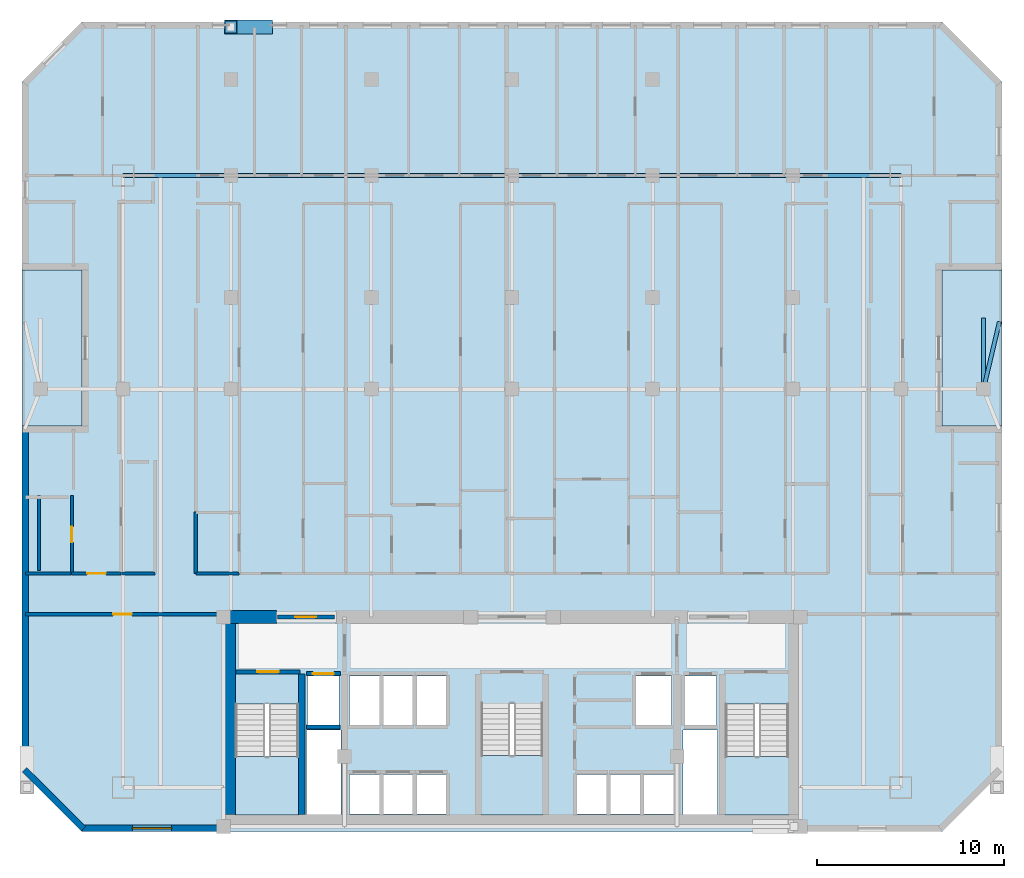
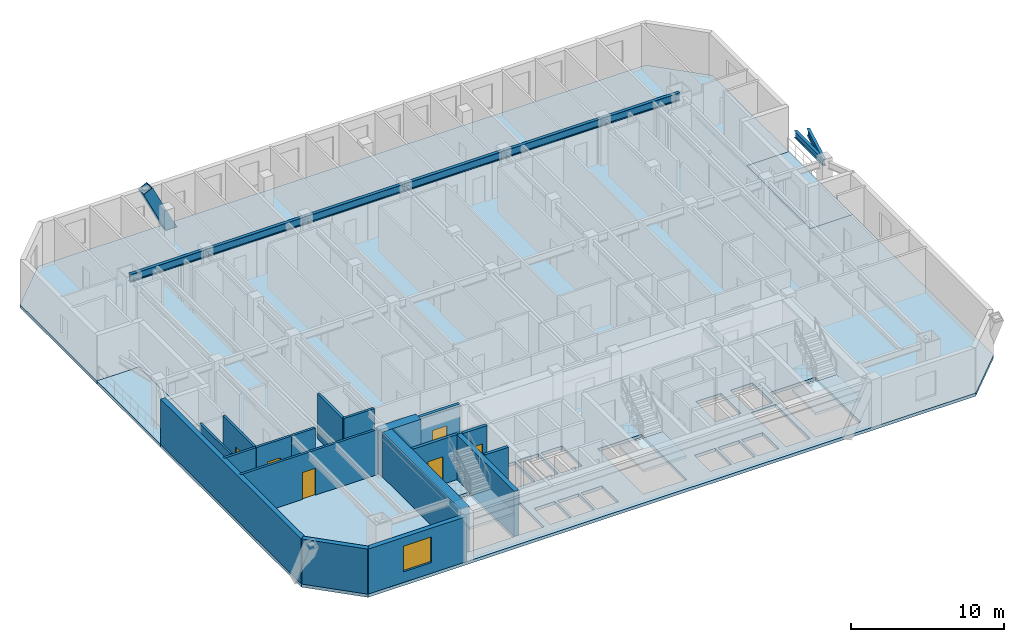
# One storey, part 2 of 11: 18 walls, 8 beams, 6 doors, 6 slabs, 1 member, 1 window, 7 openings, 3 elements without a shape of their own.
"""IFC4 building model written with IfcOpenShell, lengths in metres."""

from ifc_helpers import new_model, si_unit, direction, frame, frame_2d, origin, origin_2d, place, context, subcontext, project, spatial, polyline, rectangle, hollow_rectangle, i_section, outline, extrude, material, layer, layer_set, material_profile, profile_set, type_object, element, fill, aggregate, save


model = new_model("IFC4")

# Units and contexts
model_context = context("Model", 3, precision=1e-05, world=origin(), true_north=direction((0.0, 1.0)))
body_context = subcontext(model_context, "Body", "Model", "MODEL_VIEW")
ifc_project = project(units=[si_unit("LENGTHUNIT", "METRE"), si_unit("AREAUNIT", "SQUARE_METRE"), si_unit("VOLUMEUNIT", "CUBIC_METRE"), si_unit("PLANEANGLEUNIT", "RADIAN"), si_unit("MASSUNIT", "GRAM", prefix="KILO")], contexts=[model_context])

# Site, building, storey
site_placement = place(None, origin())
site = spatial("IfcSite", under=ifc_project, at=site_placement, CompositionType="ELEMENT")
building_placement = place(site_placement, origin())
building = spatial("IfcBuilding", under=site, at=building_placement, Name="Ventersveld Concourse Tower", CompositionType="ELEMENT")
storey_placement = place(building_placement, frame((0.0, 0.0, 119.550048828125)))
storey = spatial("IfcBuildingStorey", under=building, at=storey_placement, Name="L29", CompositionType="ELEMENT", Elevation=119.550048828125)

# Beams
ifc_material_1 = material(Name="Structural steel S355J2", Category="steel")
ifc_material_profile_1 = material_profile(ifc_material_1, i_section(OverallWidth=0.230224609375, OverallDepth=0.6171875, WebThickness=0.01318359375, FlangeThickness=0.022216796875, FilletRadius=0.0126953125, at=origin_2d()), Name="UB 610x229x140")
ifc_profile_set_1 = profile_set([ifc_material_profile_1], Name="Structural steel S355J2")
beam_type_1 = type_object("IfcBeamType", Name="GRD-UB610", PredefinedType="USERDEFINED", material=ifc_profile_set_1)
beam_1_placement = place(storey_placement, frame((8.0, 35.0, 3.291259765625), z_axis=(1.0, 0.0, 0.0), x_axis=(0.0, 1.0, 0.0)))
element("IfcBeam", 1, at=beam_1_placement, inside=storey, type_object=beam_type_1, Name="L29 E-W Grid Girder Y=35.00 #1", ObjectType="GIRDER", PredefinedType="USERDEFINED", context=body_context, shape_type="SweptSolid", body=[
    extrude(i_section(OverallWidth=0.230224609375, OverallDepth=0.6171875, WebThickness=0.01318359375, FlangeThickness=0.022216796875, FilletRadius=0.0126953125, at=origin_2d()), origin(), (0.0, 0.0, 1.0), 5.75),
])
for number, where, z_axis, x_axis, name in (
    (2, (13.75, 35.0, 3.291259765625), (1.0, 0.0, 0.0), (0.0, 1.0, 0.0), "L29 E-W Grid Girder Y=35.00 #2"),
    (3, (21.25, 35.0, 3.291259765625), (1.0, 0.0, 0.0), (0.0, 1.0, 0.0), "L29 E-W Grid Girder Y=35.00 #3"),
    (4, (28.75, 35.0, 3.291259765625), (1.0, 0.0, 0.0), (0.0, 1.0, 0.0), "L29 E-W Grid Girder Y=35.00 #4"),
    (5, (36.25, 35.0, 3.291259765625), (1.0, 0.0, 0.0), (0.0, 1.0, 0.0), "L29 E-W Grid Girder Y=35.00 #5"),
):
    element("IfcBeam", number, at=place(storey_placement, frame(where, z_axis=z_axis, x_axis=x_axis)), inside=storey, type_object=beam_type_1, Name=name, ObjectType="GIRDER", PredefinedType="USERDEFINED", context=body_context, shape_type="SweptSolid", body=[
        extrude(i_section(OverallWidth=0.230224609375, OverallDepth=0.6171875, WebThickness=0.01318359375, FlangeThickness=0.022216796875, FilletRadius=0.0126953125, at=origin_2d()), origin(), (0.0, 0.0, 1.0), 7.5),
    ])
beam_2_placement = place(storey_placement, frame((43.75, 35.0, 3.291259765625), z_axis=(1.0, 0.0, 0.0), x_axis=(0.0, 1.0, 0.0)))
element("IfcBeam", 6, at=beam_2_placement, inside=storey, type_object=beam_type_1, Name="L29 E-W Grid Girder Y=35.00 #6", ObjectType="GIRDER", PredefinedType="USERDEFINED", context=body_context, shape_type="SweptSolid", body=[
    extrude(i_section(OverallWidth=0.230224609375, OverallDepth=0.6171875, WebThickness=0.01318359375, FlangeThickness=0.022216796875, FilletRadius=0.0126953125, at=origin_2d()), origin(), (0.0, 0.0, 1.0), 5.75),
])

# Member
ifc_material_2 = material(Name="Structural steel S355ML", Category="steel")
ifc_material_profile_2 = material_profile(ifc_material_2, hollow_rectangle(XDim=0.75, YDim=0.75, WallThickness=0.044921875, at=origin_2d()), Name="BOX 750x750x45")
ifc_profile_set_2 = profile_set([ifc_material_profile_2], Name="Structural steel S355ML")
member_type = type_object("IfcMemberType", Name="MB-750x750", PredefinedType="BRACE", material=ifc_profile_set_2)
member_placement = place(storey_placement, frame((15.625, 42.919921875, -0.25), z_axis=(-0.437861906815, 0.0, 0.899042240699), x_axis=(0.0, -1.0, 0.0)))
element("IfcMember", 7, at=member_placement, inside=storey, type_object=member_type, Name="L29 Exterior Mega-Brace N (Module M06)", PredefinedType="BRACE", context=body_context, shape_type="SweptSolid", body=[
    extrude(hollow_rectangle(XDim=0.75, YDim=0.75, WallThickness=0.044921875, at=origin_2d()), origin(), (0.0, 0.0, 1.0), 4.2822265625),
])

# Beams
ifc_material_profile_3 = material_profile(ifc_material_1, i_section(OverallWidth=0.2119140625, OverallDepth=0.54443359375, WebThickness=0.0126953125, FlangeThickness=0.021240234375, FilletRadius=0.0126953125, at=origin_2d()), Name="UB 533x210x122")
ifc_profile_set_3 = profile_set([ifc_material_profile_3], Name="Structural steel S355J2")
beam_type_2 = type_object("IfcBeamType", Name="SPD-UB533", PredefinedType="SPANDREL", material=ifc_profile_set_3)
beam_3_placement = place(storey_placement, frame((53.89990234375, 23.60009765625, 3.32763671875), z_axis=(0.0, 1.0, 0.0), x_axis=(-1.0, 0.0, 0.0)))
element("IfcBeam", 8, at=beam_3_placement, inside=storey, type_object=beam_type_2, Name="L29 East Valley Spine Girder", PredefinedType="SPANDREL", context=body_context, shape_type="SweptSolid", body=[
    extrude(i_section(OverallWidth=0.2119140625, OverallDepth=0.54443359375, WebThickness=0.0126953125, FlangeThickness=0.021240234375, FilletRadius=0.0126953125, at=origin_2d()), origin(), (0.0, 0.0, 1.0), 3.7998046875),
])
beam_4_placement = place(storey_placement, frame((53.89990234375, 23.60009765625, 3.32763671875), z_axis=(0.229826547993, 0.973231605445, 0.0), x_axis=(-0.973231605445, 0.229826547993, 0.0)))
element("IfcBeam", 9, at=beam_4_placement, inside=storey, type_object=beam_type_2, Name="L29 East Valley Corner Bracket 2", PredefinedType="SPANDREL", context=body_context, shape_type="SweptSolid", body=[
    extrude(i_section(OverallWidth=0.2119140625, OverallDepth=0.54443359375, WebThickness=0.0126953125, FlangeThickness=0.021240234375, FilletRadius=0.0126953125, at=origin_2d()), origin(), (0.0, 0.0, 1.0), 3.698974609375),
])

# Slabs
ifc_material_3 = material(Name="Concrete C50/60", Category="concrete")
ifc_layer_1 = layer(ifc_material_3, 0.25)
ifc_layer_set_1 = layer_set([ifc_layer_1], Name="Concrete C50/60")
slab_type_1 = type_object("IfcSlabType", Name="SL-FLR-250", PredefinedType="FLOOR", material=ifc_layer_set_1)
slab_1_placement = place(storey_placement, frame((0.0, 0.0, -0.25)))
element("IfcSlab", 10, at=slab_1_placement, inside=storey, type_object=slab_type_1, Name="L29 Composite Floor Slab", PredefinedType="FLOOR", context=body_context, shape_type="SweptSolid", body=[
    extrude(outline(polyline([(5.800048828125, 0.0), (51.699951171875, 0.0), (54.89990234375, 3.199951171875), (54.89990234375, 21.64990234375), (51.699951171875, 21.64990234375), (51.699951171875, 29.949951171875), (54.89990234375, 29.949951171875), (54.89990234375, 40.0), (51.699951171875, 43.199951171875), (5.800048828125, 43.199951171875), (2.60009765625, 40.0), (2.60009765625, 29.949951171875), (5.800048828125, 29.949951171875), (5.800048828125, 21.64990234375), (2.60009765625, 21.64990234375), (2.60009765625, 3.199951171875), (5.800048828125, 0.0)]), holes=[polyline([(13.97998046875, 6.794921875), (13.97998046875, 0.89990234375), (17.3798828125, 0.89990234375), (17.3798828125, 6.794921875), (13.97998046875, 6.794921875)]), polyline([(40.1201171875, 6.794921875), (40.1201171875, 0.89990234375), (43.52001953125, 0.89990234375), (43.52001953125, 6.794921875), (40.1201171875, 6.794921875)]), polyline([(27.10009765625, 6.844970703125), (27.10009765625, 0.89990234375), (30.39990234375, 0.89990234375), (30.39990234375, 6.844970703125), (27.10009765625, 6.844970703125)]), polyline([(17.85009765625, 5.699951171875), (19.530029296875, 5.699951171875), (19.530029296875, 8.300048828125), (17.85009765625, 8.300048828125), (17.85009765625, 5.699951171875)]), polyline([(37.969970703125, 5.699951171875), (39.64990234375, 5.699951171875), (39.64990234375, 8.300048828125), (37.969970703125, 8.300048828125), (37.969970703125, 5.699951171875)]), polyline([(35.35009765625, 5.699951171875), (37.25, 5.699951171875), (37.25, 8.300048828125), (35.35009765625, 8.300048828125), (35.35009765625, 5.699951171875)]), polyline([(20.090087890625, 0.949951171875), (21.68994140625, 0.949951171875), (21.68994140625, 3.050048828125), (20.090087890625, 3.050048828125), (20.090087890625, 0.949951171875)]), polyline([(21.8701171875, 0.949951171875), (23.469970703125, 0.949951171875), (23.469970703125, 3.050048828125), (21.8701171875, 3.050048828125), (21.8701171875, 0.949951171875)]), polyline([(23.64990234375, 0.949951171875), (25.25, 0.949951171875), (25.25, 3.050048828125), (23.64990234375, 3.050048828125), (23.64990234375, 0.949951171875)]), polyline([(32.2099609375, 0.949951171875), (33.81005859375, 0.949951171875), (33.81005859375, 3.050048828125), (32.2099609375, 3.050048828125), (32.2099609375, 0.949951171875)]), polyline([(33.989990234375, 0.949951171875), (35.590087890625, 0.949951171875), (35.590087890625, 3.050048828125), (33.989990234375, 3.050048828125), (33.989990234375, 0.949951171875)]), polyline([(35.77001953125, 0.949951171875), (37.3701171875, 0.949951171875), (37.3701171875, 3.050048828125), (35.77001953125, 3.050048828125), (35.77001953125, 0.949951171875)]), polyline([(20.090087890625, 5.699951171875), (21.68994140625, 5.699951171875), (21.68994140625, 8.300048828125), (20.090087890625, 8.300048828125), (20.090087890625, 5.699951171875)]), polyline([(21.8701171875, 5.699951171875), (23.469970703125, 5.699951171875), (23.469970703125, 8.300048828125), (21.8701171875, 8.300048828125), (21.8701171875, 5.699951171875)]), polyline([(23.64990234375, 5.699951171875), (25.25, 5.699951171875), (25.25, 8.300048828125), (23.64990234375, 8.300048828125), (23.64990234375, 5.699951171875)]), polyline([(17.780029296875, 0.919921875), (19.6201171875, 0.919921875), (19.6201171875, 5.419921875), (17.780029296875, 5.419921875), (17.780029296875, 0.919921875)]), polyline([(37.8798828125, 0.919921875), (39.719970703125, 0.919921875), (39.719970703125, 5.419921875), (37.8798828125, 5.419921875), (37.8798828125, 0.919921875)])]), origin(), (0.0, 0.0, 1.0), 0.25),
])
slab_2_placement = place(storey_placement, frame((0.0, 0.0, -0.25)))
element("IfcSlab", 11, at=slab_2_placement, inside=storey, type_object=slab_type_1, Name="L29 Outdoor Terrace Slab NOTCH-W", PredefinedType="FLOOR", context=body_context, shape_type="SweptSolid", body=[
    extrude(outline(polyline([(2.60009765625, 21.64990234375), (5.800048828125, 21.64990234375), (5.800048828125, 29.949951171875), (2.60009765625, 29.949951171875), (2.60009765625, 21.64990234375)])), origin(), (0.0, 0.0, 1.0), 0.25),
])
slab_3_placement = place(storey_placement, frame((0.0, 0.0, -0.25)))
element("IfcSlab", 12, at=slab_3_placement, inside=storey, type_object=slab_type_1, Name="L29 Outdoor Terrace Slab NOTCH-E", PredefinedType="FLOOR", context=body_context, shape_type="SweptSolid", body=[
    extrude(outline(polyline([(51.699951171875, 21.64990234375), (54.89990234375, 21.64990234375), (54.89990234375, 29.949951171875), (51.699951171875, 29.949951171875), (51.699951171875, 21.64990234375)])), origin(), (0.0, 0.0, 1.0), 0.25),
])

# Stair, slab
stair_type_1 = type_object("IfcStairType", Name="ST-DOG-160", PredefinedType="HALF_TURN_STAIR", material=ifc_material_3)
stair_1_placement = place(storey_placement, origin())
stair_1 = element("IfcStair", 13, at=stair_1_placement, inside=storey, type_object=stair_type_1, Name="L29 Protected Tower Escape Stair ST-01", PredefinedType="HALF_TURN_STAIR")
ifc_layer_2 = layer(ifc_material_3, 0.199951171875)
ifc_layer_set_2 = layer_set([ifc_layer_2], Name="Concrete C50/60")
slab_type_2 = type_object("IfcSlabType", Name="SL-LND-200", PredefinedType="LANDING", material=ifc_layer_set_2)
slab_4_placement = place(storey_placement, frame((0.0, 0.0, 1.724853515625)))
slab_4 = element("IfcSlab", 14, at=slab_4_placement, type_object=slab_type_2, Name="ST-01 landing 1", PredefinedType="LANDING", context=body_context, shape_type="SweptSolid", body=[
    extrude(outline(polyline([(13.97998046875, 4.0), (13.97998046875, 0.89990234375), (17.3798828125, 0.89990234375), (17.3798828125, 4.0), (13.97998046875, 4.0)])), origin(), (0.0, 0.0, 1.0), 0.2001953125),
])
aggregate(stair_1, [slab_4])

stair_2_placement = place(storey_placement, origin())
stair_2 = element("IfcStair", 15, at=stair_2_placement, inside=storey, type_object=stair_type_1, Name="L29 Protected Tower Escape Stair ST-02", PredefinedType="HALF_TURN_STAIR")
slab_5_placement = place(storey_placement, frame((0.0, 0.0, 1.724853515625)))
slab_5 = element("IfcSlab", 16, at=slab_5_placement, type_object=slab_type_2, Name="ST-02 landing 1", PredefinedType="LANDING", context=body_context, shape_type="SweptSolid", body=[
    extrude(outline(polyline([(40.1201171875, 4.0), (40.1201171875, 0.89990234375), (43.52001953125, 0.89990234375), (43.52001953125, 4.0), (40.1201171875, 4.0)])), origin(), (0.0, 0.0, 1.0), 0.2001953125),
])
aggregate(stair_2, [slab_5])

stair_type_2 = type_object("IfcStairType", Name="ST-DOG-155", PredefinedType="HALF_TURN_STAIR", material=ifc_material_3)
stair_3_placement = place(storey_placement, origin())
stair_3 = element("IfcStair", 17, at=stair_3_placement, inside=storey, type_object=stair_type_2, Name="L29 Protected Central Core Escape Stair ST-03", PredefinedType="HALF_TURN_STAIR")
slab_6_placement = place(storey_placement, frame((0.0, 0.0, 1.724853515625)))
slab_6 = element("IfcSlab", 18, at=slab_6_placement, type_object=slab_type_2, Name="ST-03 landing 1", PredefinedType="LANDING", context=body_context, shape_type="SweptSolid", body=[
    extrude(outline(polyline([(27.10009765625, 4.050048828125), (27.10009765625, 0.89990234375), (30.39990234375, 0.89990234375), (30.39990234375, 4.050048828125), (27.10009765625, 4.050048828125)])), origin(), (0.0, 0.0, 1.0), 0.2001953125),
])
aggregate(stair_3, [slab_6])

# Walls
ifc_material_4 = material(Name="Concrete C60/75", Category="concrete")
ifc_layer_3 = layer(ifc_material_4, 0.35009765625)
ifc_layer_set_3 = layer_set([ifc_layer_3], Name="Concrete C60/75")
wall_type_1 = type_object("IfcWallType", Name="WL-CORE-350L", PredefinedType="SHEAR", material=ifc_layer_set_3)
wall_1_placement = place(storey_placement, frame((17.5400390625, 0.919921875, 0.0), z_axis=(0.0, 0.0, 1.0), x_axis=(0.0, 1.0, 0.0)))
element("IfcWall", 19, at=wall_1_placement, inside=storey, type_object=wall_type_1, Name="L29 Core Internal Shear Web W-ST1-E", PredefinedType="SHEAR", context=body_context, shape_type="SweptSolid", body=[
    extrude(rectangle(XDim=7.5, YDim=0.35009765625, at=frame_2d((3.75, 0.0))), origin(), (0.0, 0.0, 1.0), 3.599853515625),
])
ifc_layer_4 = layer(ifc_material_4, 0.699951171875)
ifc_layer_set_4 = layer_set([ifc_layer_4], Name="Concrete C60/75")
wall_type_2 = type_object("IfcWallType", Name="WL-CORE-700", PredefinedType="SHEAR", material=ifc_layer_set_4)
wall_2_placement = place(storey_placement, frame((13.64990234375, 0.919921875, 0.0), z_axis=(0.0, 0.0, 1.0), x_axis=(0.0, 1.0, 0.0)))
element("IfcWall", 20, at=wall_2_placement, inside=storey, type_object=wall_type_2, Name="L29 Rear Core West Shear Wall", PredefinedType="SHEAR", context=body_context, shape_type="SweptSolid", body=[
    extrude(rectangle(XDim=10.530029296875, YDim=0.699951171875, at=frame_2d((5.26513671875, 0.0))), origin(), (0.0, 0.0, 1.0), 3.599853515625),
])
wall_3_placement = place(storey_placement, frame((13.25, 11.449951171875, 0.0), z_axis=(0.0, 0.0, 1.0), x_axis=(1.0, 0.0, 0.0)))
element("IfcWall", 21, at=wall_3_placement, inside=storey, type_object=wall_type_2, Name="L29 Rear Core North Shear Wall NW", PredefinedType="SHEAR", context=body_context, shape_type="SweptSolid", body=[
    extrude(rectangle(XDim=2.949951171875, YDim=0.699951171875, at=frame_2d((1.47509765625, 0.0))), origin(), (0.0, 0.0, 1.0), 3.599853515625),
])

# Wall, opening, door
ifc_material_5 = material(Name="Fire-rated autoclaved aerated masonry blockwork", Category="masonry")
ifc_layer_5 = layer(ifc_material_5, 0.179931640625)
ifc_layer_set_5 = layer_set([ifc_layer_5], Name="Fire-rated autoclaved aerated masonry blockwork")
wall_type_3 = type_object("IfcWallType", Name="WL-CORR-180", PredefinedType="PARTITIONING", material=ifc_layer_set_5)
wall_4_placement = place(storey_placement, frame((2.81005859375, 11.60009765625, 0.0), z_axis=(0.0, 0.0, 1.0), x_axis=(1.0, 0.0, 0.0)))
wall_4 = element("IfcWall", 22, at=wall_4_placement, inside=storey, type_object=wall_type_3, Name="L29 Interior Partition SP-L29-SW-GAL-SP-L29-COR", PredefinedType="PARTITIONING", context=body_context, shape_type="SweptSolid", body=[
    extrude(rectangle(XDim=10.3349609375, YDim=0.179931640625, at=frame_2d((5.16748046875, 0.0))), origin(), (0.0, 0.0, 1.0), 3.599853515625),
])
opening_1_placement = place(wall_4_placement, frame((4.66748046875, 0.0, 0.0)))
opening_1 = element("IfcOpeningElement", 23, at=opening_1_placement, cuts=wall_4, Name="Opening FD3", PredefinedType="OPENING", context=body_context, shape_type="SweptSolid", body=[
    extrude(rectangle(XDim=1.0, YDim=2.14990234375, at=frame_2d((0.5, 1.074951171875))), frame((0.0, 0.10009765625, 0.0), z_axis=(0.0, -1.0, 0.0), x_axis=(1.0, 0.0, 0.0)), (0.0, 0.0, 1.0), 0.199951171875),
])
ifc_material_6 = material(Name="Solid-core hardwood veneer timber", Category="wood")
door_type_1 = type_object("IfcDoorType", Name="DR-FLAT-100", OperationType="NOTDEFINED", PredefinedType="DOOR", material=ifc_material_6)
door_1_placement = place(opening_1_placement, origin())
door_1 = element("IfcDoor", 24, at=door_1_placement, inside=storey, type_object=door_type_1, Name="L29 Interior Door SP-L29-SW-GAL to SP-L29-COR (D-L29-1430)", OperationType="SINGLE_SWING_RIGHT", OverallHeight=2.14990234375, OverallWidth=1.0, PredefinedType="DOOR", context=body_context, shape_type="SweptSolid", body=[
    extrude(rectangle(XDim=1.0, YDim=2.14990234375, at=frame_2d((0.5, 1.074951171875))), frame((0.0, 0.02490234375, 0.0), z_axis=(0.0, -1.0, 0.0), x_axis=(1.0, 0.0, 0.0)), (0.0, 0.0, 1.0), 0.050048828125),
])
fill(opening_1, door_1)

wall_5_placement = place(storey_placement, frame((5.2646484375, 13.77001953125, 0.0), z_axis=(0.0, 0.0, 1.0), x_axis=(1.0, 0.0, 0.0)))
wall_5 = element("IfcWall", 25, at=wall_5_placement, inside=storey, type_object=wall_type_3, Name="L29 Interior Partition SP-L29-COR-SP-L29-29NW-LIV", PredefinedType="PARTITIONING", context=body_context, shape_type="SweptSolid", body=[
    extrude(rectangle(XDim=2.635986328125, YDim=0.179931640625, at=frame_2d((1.31787109375, 0.0))), origin(), (0.0, 0.0, 1.0), 3.599853515625),
])
opening_2_placement = place(wall_5_placement, frame((0.818115234375, 0.0, 0.0)))
opening_2 = element("IfcOpeningElement", 26, at=opening_2_placement, cuts=wall_5, Name="Opening FD3", PredefinedType="OPENING", context=body_context, shape_type="SweptSolid", body=[
    extrude(rectangle(XDim=1.0, YDim=2.14990234375, at=frame_2d((0.5, 1.074951171875))), frame((0.0, 0.10009765625, 0.0), z_axis=(0.0, -1.0, 0.0), x_axis=(1.0, 0.0, 0.0)), (0.0, 0.0, 1.0), 0.199951171875),
])
door_2_placement = place(opening_2_placement, origin())
door_2 = element("IfcDoor", 27, at=door_2_placement, inside=storey, type_object=door_type_1, Name="L29 Interior Door SP-L29-COR to SP-L29-29NW-LIV (FD-L29-1432)", OperationType="SINGLE_SWING_RIGHT", OverallHeight=2.14990234375, OverallWidth=1.0, PredefinedType="DOOR", context=body_context, shape_type="SweptSolid", body=[
    extrude(rectangle(XDim=1.0, YDim=2.14990234375, at=frame_2d((0.5, 1.074951171875))), frame((0.0, 0.02490234375, 0.0), z_axis=(0.0, -1.0, 0.0), x_axis=(1.0, 0.0, 0.0)), (0.0, 0.0, 1.0), 0.050048828125),
])
fill(opening_2, door_2)

# Walls
wall_6_placement = place(storey_placement, frame((2.81005859375, 13.77001953125, 0.0), z_axis=(0.0, 0.0, 1.0), x_axis=(1.0, 0.0, 0.0)))
element("IfcWall", 28, at=wall_6_placement, inside=storey, type_object=wall_type_3, Name="L29 Interior Partition SP-L29-COR-SP-L29-29NW-BATH", PredefinedType="PARTITIONING", context=body_context, shape_type="SweptSolid", body=[
    extrude(rectangle(XDim=2.424560546875, YDim=0.179931640625, at=frame_2d((1.21240234375, 0.0))), origin(), (0.0, 0.0, 1.0), 3.599853515625),
])
wall_7_placement = place(storey_placement, frame((7.9306640625, 13.77001953125, 0.0), z_axis=(0.0, 0.0, 1.0), x_axis=(1.0, 0.0, 0.0)))
element("IfcWall", 29, at=wall_7_placement, inside=storey, type_object=wall_type_3, Name="L29 Interior Partition SP-L29-COR-SP-L29-29NW-KIT", PredefinedType="PARTITIONING", context=body_context, shape_type="SweptSolid", body=[
    extrude(rectangle(XDim=1.784423828125, YDim=0.179931640625, at=frame_2d((0.89208984375, 0.0))), origin(), (0.0, 0.0, 1.0), 3.599853515625),
])
wall_8_placement = place(storey_placement, frame((11.889892578125, 13.764892578125, 0.0), z_axis=(0.0, 0.0, 1.0), x_axis=(0.0, 1.0, 0.0)))
element("IfcWall", 30, at=wall_8_placement, inside=storey, type_object=wall_type_3, Name="L29 Interior Partition SP-L29-COR-SP-L29-29N1-BATH", PredefinedType="PARTITIONING", context=body_context, shape_type="SweptSolid", body=[
    extrude(rectangle(XDim=3.272705078125, YDim=0.179931640625, at=frame_2d((1.63623046875, 0.0))), origin(), (0.0, 0.0, 1.0), 3.599853515625),
])
wall_9_placement = place(storey_placement, frame((11.885009765625, 13.77001953125, 0.0), z_axis=(0.0, 0.0, 1.0), x_axis=(1.0, 0.0, 0.0)))
element("IfcWall", 31, at=wall_9_placement, inside=storey, type_object=wall_type_3, Name="L29 Interior Partition SP-L29-COR-SP-L29-29N1-BATH", PredefinedType="PARTITIONING", context=body_context, shape_type="SweptSolid", body=[
    extrude(rectangle(XDim=2.291015625, YDim=0.179931640625, at=frame_2d((1.1455078125, 0.0))), origin(), (0.0, 0.0, 1.0), 3.599853515625),
])
ifc_layer_6 = layer(ifc_material_5, 0.219970703125)
ifc_layer_set_6 = layer_set([ifc_layer_6], Name="Fire-rated autoclaved aerated masonry blockwork")
wall_type_4 = type_object("IfcWallType", Name="WL-HOIST-220", PredefinedType="SOLIDWALL", material=ifc_layer_set_6)
wall_10_placement = place(storey_placement, frame((17.800048828125, 5.590087890625, 0.0), z_axis=(0.0, 0.0, 1.0), x_axis=(1.0, 0.0, 0.0)))
element("IfcWall", 32, at=wall_10_placement, inside=storey, type_object=wall_type_4, Name="L29 Lift Hoistway Back Wall FFL-01", PredefinedType="SOLIDWALL", context=body_context, shape_type="SweptSolid", body=[
    extrude(rectangle(XDim=1.780029296875, YDim=0.219970703125, at=frame_2d((0.89013671875, 0.0))), origin(), (0.0, 0.0, 1.0), 3.599853515625),
])

# Wall, opening, door
wall_11_placement = place(storey_placement, frame((17.780029296875, 8.429931640625, 0.0), z_axis=(0.0, 0.0, 1.0), x_axis=(1.0, 0.0, 0.0)))
wall_11 = element("IfcWall", 33, at=wall_11_placement, inside=storey, type_object=wall_type_4, Name="L29 Lift Hoistway Front Wall FFL-01", PredefinedType="SOLIDWALL", context=body_context, shape_type="SweptSolid", body=[
    extrude(rectangle(XDim=1.820068359375, YDim=0.219970703125, at=frame_2d((0.91015625, 0.0))), origin(), (0.0, 0.0, 1.0), 3.599853515625),
])
opening_3_placement = place(wall_11_placement, frame((0.35009765625, 0.0, 0.0)))
opening_3 = element("IfcOpeningElement", 34, at=opening_3_placement, cuts=wall_11, Name="Opening LD1", PredefinedType="OPENING", context=body_context, shape_type="SweptSolid", body=[
    extrude(rectangle(XDim=1.1201171875, YDim=2.25, at=frame_2d((0.56005859375, 1.125))), frame((0.0, 0.1201171875, 0.0), z_axis=(0.0, -1.0, 0.0), x_axis=(1.0, 0.0, 0.0)), (0.0, 0.0, 1.0), 0.239990234375),
])
ifc_material_7 = material(Name="Brushed stainless steel 316", Category="steel")
door_type_2 = type_object("IfcDoorType", Name="LD-FF-112", OperationType="SLIDING_TO_LEFT", PredefinedType="DOOR", material=ifc_material_7)
door_3_placement = place(opening_3_placement, origin())
door_3 = element("IfcDoor", 35, at=door_3_placement, inside=storey, type_object=door_type_2, Name="L29 Lift landing door FFL-01 (LD-L29-FFL-01)", OperationType="SLIDING_TO_LEFT", OverallHeight=2.25, OverallWidth=1.1201171875, PredefinedType="DOOR", context=body_context, shape_type="SweptSolid", body=[
    extrude(rectangle(XDim=1.1201171875, YDim=2.25, at=frame_2d((0.56005859375, 1.125))), frame((0.0, 0.02490234375, 0.0), z_axis=(0.0, -1.0, 0.0), x_axis=(1.0, 0.0, 0.0)), (0.0, 0.0, 1.0), 0.050048828125),
])
fill(opening_3, door_3)

wall_12_placement = place(storey_placement, frame((14.0400390625, 8.52001953125, 0.0), z_axis=(0.0, 0.0, 1.0), x_axis=(1.0, 0.0, 0.0)))
wall_12 = element("IfcWall", 36, at=wall_12_placement, inside=storey, type_object=wall_type_4, Name="L29 Escape Stair ST01 Fire Wall", PredefinedType="SOLIDWALL", context=body_context, shape_type="SweptSolid", body=[
    extrude(rectangle(XDim=3.39990234375, YDim=0.219970703125, at=frame_2d((1.699951171875, 0.0))), origin(), (0.0, 0.0, 1.0), 3.599853515625),
])
opening_4_placement = place(wall_12_placement, frame((1.125, 0.0, 0.0)))
opening_4 = element("IfcOpeningElement", 37, at=opening_4_placement, cuts=wall_12, Name="Opening FD1", PredefinedType="OPENING", context=body_context, shape_type="SweptSolid", body=[
    extrude(rectangle(XDim=1.14990234375, YDim=2.199951171875, at=frame_2d((0.574951171875, 1.10009765625))), frame((0.0, 0.1201171875, 0.0), z_axis=(0.0, -1.0, 0.0), x_axis=(1.0, 0.0, 0.0)), (0.0, 0.0, 1.0), 0.239990234375),
])
ifc_material_8 = material(Name="Galvanised painted steel", Category="steel")
door_type_3 = type_object("IfcDoorType", Name="DR-STAIR-115", OperationType="NOTDEFINED", PredefinedType="DOOR", material=ifc_material_8)
door_4_placement = place(opening_4_placement, origin())
door_4 = element("IfcDoor", 38, at=door_4_placement, inside=storey, type_object=door_type_3, Name="L29 Escape Stair Door ST01 (SD-L29-1419)", OperationType="SINGLE_SWING_LEFT", OverallHeight=2.199951171875, OverallWidth=1.14990234375, PredefinedType="DOOR", context=body_context, shape_type="SweptSolid", body=[
    extrude(rectangle(XDim=1.14990234375, YDim=2.199951171875, at=frame_2d((0.574951171875, 1.10009765625))), frame((0.0, 0.02490234375, 0.0), z_axis=(0.0, -1.0, 0.0), x_axis=(1.0, 0.0, 0.0)), (0.0, 0.0, 1.0), 0.050048828125),
])
fill(opening_4, door_4)

wall_13_placement = place(storey_placement, frame((16.22998046875, 11.449951171875, 0.0), z_axis=(0.0, 0.0, 1.0), x_axis=(1.0, 0.0, 0.0)))
wall_13 = element("IfcWall", 39, at=wall_13_placement, inside=storey, type_object=wall_type_4, Name="L29 Core North Fire Portal FFLW-OUT", PredefinedType="SOLIDWALL", context=body_context, shape_type="SweptSolid", body=[
    extrude(rectangle(XDim=3.0400390625, YDim=0.219970703125, at=frame_2d((1.52001953125, 0.0))), origin(), (0.0, 0.0, 1.0), 3.599853515625),
])
opening_5_placement = place(wall_13_placement, frame((0.969970703125, 0.0, 0.0)))
opening_5 = element("IfcOpeningElement", 40, at=opening_5_placement, cuts=wall_13, Name="Opening FD2", PredefinedType="OPENING", context=body_context, shape_type="SweptSolid", body=[
    extrude(rectangle(XDim=1.10009765625, YDim=2.199951171875, at=frame_2d((0.550048828125, 1.10009765625))), frame((0.0, 0.1201171875, 0.0), z_axis=(0.0, -1.0, 0.0), x_axis=(1.0, 0.0, 0.0)), (0.0, 0.0, 1.0), 0.239990234375),
])
door_type_4 = type_object("IfcDoorType", Name="DR-FFL-110", OperationType="NOTDEFINED", PredefinedType="DOOR", material=ifc_material_8)
door_5_placement = place(opening_5_placement, origin())
door_5 = element("IfcDoor", 41, at=door_5_placement, inside=storey, type_object=door_type_4, Name="L29 Core Lobby Fire Door FFLW-OUT (FD-L29-1424)", OperationType="SINGLE_SWING_RIGHT", OverallHeight=2.199951171875, OverallWidth=1.10009765625, PredefinedType="DOOR", context=body_context, shape_type="SweptSolid", body=[
    extrude(rectangle(XDim=1.10009765625, YDim=2.199951171875, at=frame_2d((0.550048828125, 1.10009765625))), frame((0.0, 0.02490234375, 0.0), z_axis=(0.0, -1.0, 0.0), x_axis=(1.0, 0.0, 0.0)), (0.0, 0.0, 1.0), 0.050048828125),
])
fill(opening_5, door_5)

# Wall, opening, window
ifc_material_9 = material(Name="Precast concrete C45/55", Category="concrete")
ifc_layer_7 = layer(ifc_material_9, 0.35009765625)
ifc_layer_set_7 = layer_set([ifc_layer_7], Name="Precast concrete C45/55")
wall_type_5 = type_object("IfcWallType", Name="WL-PREC-350", PredefinedType="SOLIDWALL", material=ifc_layer_set_7)
wall_14_placement = place(storey_placement, frame((5.840087890625, 0.179931640625, 0.0), z_axis=(0.0, 0.0, 1.0), x_axis=(1.0, 0.0, 0.0)))
wall_14 = element("IfcWall", 42, at=wall_14_placement, inside=storey, type_object=wall_type_5, Name="L29 South-West Flank Precast Wall", PredefinedType="SOLIDWALL", context=body_context, shape_type="SweptSolid", body=[
    extrude(rectangle(XDim=7.409912109375, YDim=0.35009765625, at=frame_2d((3.705078125, 0.0))), origin(), (0.0, 0.0, 1.0), 3.599853515625),
])
opening_6_placement = place(wall_14_placement, frame((2.655029296875, 0.0, 0.85009765625)))
opening_6 = element("IfcOpeningElement", 43, at=opening_6_placement, cuts=wall_14, Name="Opening W7", PredefinedType="OPENING", context=body_context, shape_type="SweptSolid", body=[
    extrude(rectangle(XDim=2.10009765625, YDim=2.050048828125, at=frame_2d((1.050048828125, 1.02490234375))), frame((0.0, 0.18505859375, 0.0), z_axis=(0.0, -1.0, 0.0), x_axis=(1.0, 0.0, 0.0)), (0.0, 0.0, 1.0), 0.3701171875),
])
ifc_material_10 = material(Name="Tempered acoustic Low-E IGU", Category="glass")
window_type = type_object("IfcWindowType", Name="WIN-210x205", PartitioningType="SINGLE_PANEL", PredefinedType="WINDOW", material=ifc_material_10)
window_placement = place(opening_6_placement, origin())
window = element("IfcWindow", 44, at=window_placement, inside=storey, type_object=window_type, Name="L29 Punched Low-E Window W-0355", OverallHeight=2.050048828125, OverallWidth=2.10009765625, PartitioningType="SINGLE_PANEL", PredefinedType="WINDOW", context=body_context, shape_type="SweptSolid", body=[
    extrude(rectangle(XDim=2.10009765625, YDim=2.050048828125, at=frame_2d((1.050048828125, 1.02490234375))), frame((0.0, 0.030029296875, 0.0), z_axis=(0.0, -1.0, 0.0), x_axis=(1.0, 0.0, 0.0)), (0.0, 0.0, 1.0), 0.06005859375),
])
fill(opening_6, window)

# Walls
wall_15_placement = place(storey_placement, frame((2.77490234375, 21.610107421875, 0.0), z_axis=(0.0, 0.0, 1.0), x_axis=(0.0, -1.0, 0.0)))
element("IfcWall", 45, at=wall_15_placement, inside=storey, type_object=wall_type_5, Name="L29 Highveld Precast Facade Wall E15", PredefinedType="SOLIDWALL", context=body_context, shape_type="SweptSolid", body=[
    extrude(rectangle(XDim=18.3701171875, YDim=0.35009765625, at=frame_2d((9.18505859375, 0.0))), origin(), (0.0, 0.0, 1.0), 3.599853515625),
])
wall_16_placement = place(storey_placement, frame((2.751953125, 3.29541015625, 0.0), z_axis=(0.0, 0.0, 1.0), x_axis=(0.707134240044, -0.707079321262, 0.0)))
element("IfcWall", 46, at=wall_16_placement, inside=storey, type_object=wall_type_5, Name="L29 Highveld Precast Facade Wall E16", PredefinedType="SOLIDWALL", context=body_context, shape_type="SweptSolid", body=[
    extrude(rectangle(XDim=4.445556640625, YDim=0.35009765625, at=frame_2d((2.22265625, 0.0))), origin(), (0.0, 0.0, 1.0), 3.599853515625),
])

# Wall, opening, door
ifc_material_11 = material(Name="Autoclaved aerated masonry blockwork", Category="masonry")
ifc_layer_8 = layer(ifc_material_11, 0.1650390625)
ifc_layer_set_8 = layer_set([ifc_layer_8], Name="Autoclaved aerated masonry blockwork")
wall_type_6 = type_object("IfcWallType", Name="WL-WET-165", PredefinedType="PLUMBINGWALL", material=ifc_layer_set_8)
wall_17_placement = place(storey_placement, frame((5.269775390625, 13.764892578125, 0.0), z_axis=(0.0, 0.0, 1.0), x_axis=(0.0, 1.0, 0.0)))
wall_17 = element("IfcWall", 47, at=wall_17_placement, inside=storey, type_object=wall_type_6, Name="L29 Interior Partition SP-L29-29NW-LIV-SP-L29-29NW-BATH", PredefinedType="PLUMBINGWALL", context=body_context, shape_type="SweptSolid", body=[
    extrude(rectangle(XDim=4.166748046875, YDim=0.1650390625, at=frame_2d((2.08349609375, 0.0))), origin(), (0.0, 0.0, 1.0), 3.599853515625),
])
opening_7_placement = place(wall_17_placement, frame((1.658203125, 0.0, 0.0)))
opening_7 = element("IfcOpeningElement", 48, at=opening_7_placement, cuts=wall_17, Name="Opening ID2", PredefinedType="OPENING", context=body_context, shape_type="SweptSolid", body=[
    extrude(rectangle(XDim=0.85009765625, YDim=2.10009765625, at=frame_2d((0.425048828125, 1.050048828125))), frame((0.0, 0.092529296875, 0.0), z_axis=(0.0, -1.0, 0.0), x_axis=(1.0, 0.0, 0.0)), (0.0, 0.0, 1.0), 0.18505859375),
])
door_type_5 = type_object("IfcDoorType", Name="DR-BATH-085", OperationType="NOTDEFINED", PredefinedType="DOOR", material=ifc_material_6)
door_6_placement = place(opening_7_placement, origin())
door_6 = element("IfcDoor", 49, at=door_6_placement, inside=storey, type_object=door_type_5, Name="L29 Interior Door SP-L29-29NW-LIV to SP-L29-29NW-BATH (D-L29-1438)", OperationType="SINGLE_SWING_RIGHT", OverallHeight=2.10009765625, OverallWidth=0.85009765625, PredefinedType="DOOR", context=body_context, shape_type="SweptSolid", body=[
    extrude(rectangle(XDim=0.85009765625, YDim=2.10009765625, at=frame_2d((0.425048828125, 1.050048828125))), frame((0.0, 0.02490234375, 0.0), z_axis=(0.0, -1.0, 0.0), x_axis=(1.0, 0.0, 0.0)), (0.0, 0.0, 1.0), 0.050048828125),
])
fill(opening_7, door_6)

# Wall
wall_18_placement = place(storey_placement, frame((3.52001953125, 13.93505859375, 0.0), z_axis=(0.0, 0.0, 1.0), x_axis=(0.0, 1.0, 0.0)))
element("IfcWall", 50, at=wall_18_placement, inside=storey, type_object=wall_type_6, Name="L29 Room Enclosure Wall SP-L29-29NW-BATH", PredefinedType="PLUMBINGWALL", context=body_context, shape_type="SweptSolid", body=[
    extrude(rectangle(XDim=3.99658203125, YDim=0.1650390625, at=frame_2d((1.998291015625, 0.0))), origin(), (0.0, 0.0, 1.0), 3.599853515625),
])

save(model, "model.ifc")
